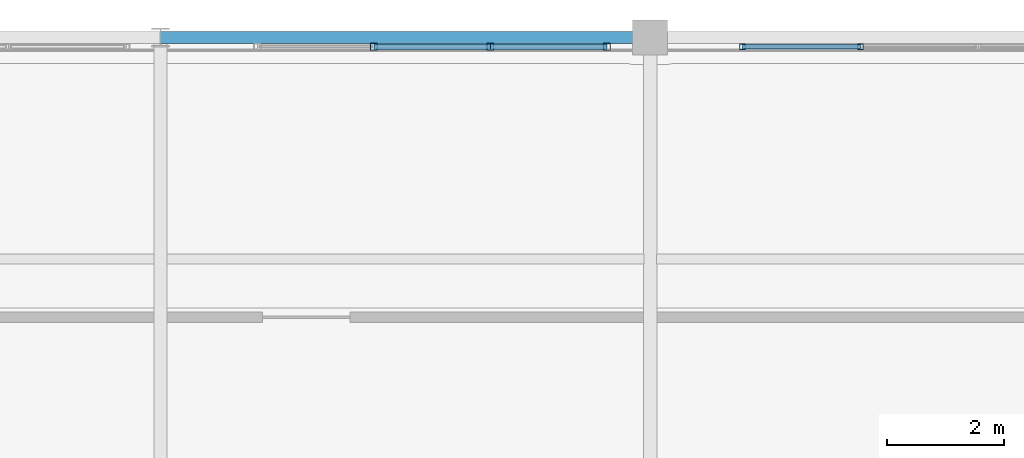
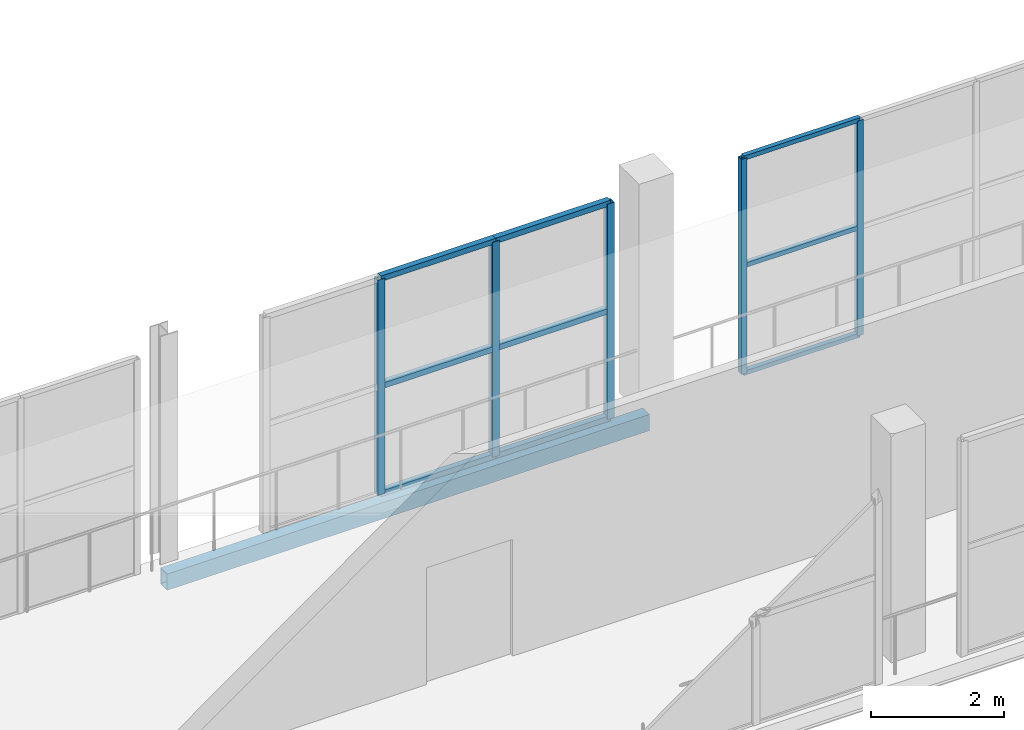
# One storey, part 67 of 151: 14 members, 1 beam, 2 elements without a shape of their own.
"""IFC4 building model written with IfcOpenShell, lengths in metres."""

import ifcopenshell
import ifcopenshell.guid

model = None  # the IFC model being written
_history = None  # IfcOwnerHistory: only IFC2X3 demands one
_inside = {}  # id of a spatial element -> (the spatial element, [elements in it])
_under = {}  # id of a project, library or spatial element -> (it, [spatial elements below it])
_declared = {}  # id of a project -> (the project, [libraries it declares])
_typed = {}  # id of a type object -> (the type object, [elements of that type])
_made_of = {}  # id of a material, layer set ... -> (it, [elements and type objects made of it])


def new_model(schema):
    """Start an empty IFC model of exactly this schema.

    Asked for "IFC4X3", IfcOpenShell would pick the latest addendum, in which some entities
    have other attributes; the version numbers below select the first issue.
    IFC2X3 requires an IfcOwnerHistory on every rooted entity: one is made here for all.
    """
    global model, _history
    if schema == "IFC4X3":
        model = ifcopenshell.file(schema_version=(4, 3, 0, 0))
    else:
        model = ifcopenshell.file(schema=schema)
    _inside.clear()
    _under.clear()
    _declared.clear()
    _typed.clear()
    _made_of.clear()
    _history = None
    if model.schema == "IFC2X3":
        org = make("IfcOrganization", Name="unknown")
        user = make(
            "IfcPersonAndOrganization",
            ThePerson=make("IfcPerson", FamilyName="unknown"),
            TheOrganization=org,
        )
        app = make(
            "IfcApplication",
            ApplicationDeveloper=org,
            Version="unknown",
            ApplicationFullName="unknown",
            ApplicationIdentifier="unknown",
        )
        _history = make(
            "IfcOwnerHistory",
            OwningUser=user,
            OwningApplication=app,
            ChangeAction="ADDED",
            CreationDate=0,
        )
    return model


def make(cls, **values):
    """One entity of the class cls with the attributes given. An attribute that is None is left unset."""
    return model.create_entity(
        cls, **{name: value for name, value in values.items() if value is not None}
    )


def rooted(cls, **values):
    """An entity with a GlobalId (a new one), such as an element, a storey or a relation."""
    return make(cls, GlobalId=ifcopenshell.guid.new(), OwnerHistory=_history, **values)


def si_unit(unit_type, name, prefix=None):
    """IfcSIUnit, for example si_unit("LENGTHUNIT", "METRE", prefix="MILLI")."""
    return make("IfcSIUnit", UnitType=unit_type, Prefix=prefix, Name=name)


def assignment(units):
    """IfcUnitAssignment: the units of a project."""
    return None if units is None else make("IfcUnitAssignment", Units=units)


def point(xyz):
    """IfcCartesianPoint."""
    return None if xyz is None else make("IfcCartesianPoint", Coordinates=xyz)


def direction(xyz):
    """IfcDirection."""
    return None if xyz is None else make("IfcDirection", DirectionRatios=xyz)


def frame(location, z_axis=None, x_axis=None):
    """IfcAxis2Placement3D, a coordinate frame: its origin and axes. An axis left out is left unset."""
    return make(
        "IfcAxis2Placement3D",
        Location=point(location),
        Axis=direction(z_axis),
        RefDirection=direction(x_axis),
    )


def frame_2d(location, x_axis=None):
    """IfcAxis2Placement2D, a coordinate frame in the plane: its origin and x axis."""
    return make(
        "IfcAxis2Placement2D", Location=point(location), RefDirection=direction(x_axis)
    )


def origin():
    """The frame at (0, 0, 0) with its axes left unset."""
    return frame((0.0, 0.0, 0.0))


def origin_2d():
    """The frame at (0, 0) in the plane with its x axis left unset."""
    return frame_2d((0.0, 0.0))


def place(relative_to, where):
    """IfcLocalPlacement: puts the frame where relative to a parent placement (None: the world)."""
    return make(
        "IfcLocalPlacement", PlacementRelTo=relative_to, RelativePlacement=where
    )


def context(
    kind, dimensions, precision=None, world=None, true_north=None, identifier=None
):
    """IfcGeometricRepresentationContext, for example the 3D "Model" context."""
    return make(
        "IfcGeometricRepresentationContext",
        ContextIdentifier=identifier,
        ContextType=kind,
        CoordinateSpaceDimension=dimensions,
        Precision=precision,
        WorldCoordinateSystem=world,
        TrueNorth=true_north,
    )


def subcontext(parent, identifier, kind, view, scale=None):
    """IfcGeometricRepresentationSubContext, for example "Body" below "Model"."""
    return make(
        "IfcGeometricRepresentationSubContext",
        ContextIdentifier=identifier,
        ContextType=kind,
        ParentContext=parent,
        TargetScale=scale,
        TargetView=view,
    )


def project(units=None, contexts=None):
    """IfcProject with its units and contexts."""
    return rooted(
        "IfcProject",
        Name="project",
        RepresentationContexts=contexts,
        UnitsInContext=assignment(units),
    )


def spatial(cls, under=None, at=None, **own):
    """A site, building, storey or space (cls), placed at a placement, below another one or the project."""
    s = rooted(cls, ObjectPlacement=at, **own)
    if under is not None:
        _under.setdefault(under.id(), (under, []))[1].append(s)
    return s


def profile(cls, at=None, kind="AREA", **sizes):
    """A parametric profile (cls). Its sizes go by their IFC names, for example OverallWidth=200.0."""
    return make(cls, ProfileType=kind, Position=at, **sizes)


def hollow_rectangle(**sizes):
    """IfcRectangleHollowProfileDef."""
    return profile("IfcRectangleHollowProfileDef", **sizes)


def extrude(swept, where, along, depth):
    """IfcExtrudedAreaSolid: the profile swept, set in the frame where, extruded along a direction by depth."""
    return make(
        "IfcExtrudedAreaSolid",
        SweptArea=swept,
        Position=where,
        ExtrudedDirection=direction(along),
        Depth=depth,
    )


def shape(context_of_items, identifier, shape_type, items):
    """IfcShapeRepresentation: the items that make up one representation, for example the "Body"."""
    return make(
        "IfcShapeRepresentation",
        ContextOfItems=context_of_items,
        RepresentationIdentifier=identifier,
        RepresentationType=shape_type,
        Items=items,
    )


def material(Name=None, Category=None):
    """IfcMaterial."""
    return make("IfcMaterial", Name=Name, Category=Category)


def material_profile(
    of_material, cross_section, Name=None, Category=None, Priority=None
):
    """IfcMaterialProfile: a cross section and its material."""
    return make(
        "IfcMaterialProfile",
        Name=Name,
        Material=of_material,
        Profile=cross_section,
        Priority=Priority,
        Category=Category,
    )


def profile_set(profiles, Name=None, composite=None):
    """IfcMaterialProfileSet."""
    return make(
        "IfcMaterialProfileSet",
        Name=Name,
        MaterialProfiles=profiles,
        CompositeProfile=composite,
    )


def made_of(thing, what):
    """Note that an element or type object is made of a material, layer set ...; save() writes the relation."""
    if what is not None:
        _made_of.setdefault(what.id(), (what, []))[1].append(thing)
    return thing


def type_object(cls, material=None, **own):
    """A type object (cls), such as IfcWallType, which elements share."""
    return made_of(rooted(cls, **own), material)


def element(
    cls,
    number,
    at=None,
    inside=None,
    cuts=None,
    type_object=None,
    material=None,
    context=None,
    identifier="Body",
    shape_type=None,
    held_by="IfcProductDefinitionShape",
    body=None,
    shapes=None,
    **own,
):
    """One element of the class cls, such as IfcWall. Its Tag is "e" and its number.

    at: its placement. inside: the storey or other place that contains it. cuts: it is an
    opening in that element (IfcRelVoidsElement). A single representation is given by context,
    identifier, shape_type and body (its items); several are given by shapes. held_by: the class
    of the entity that holds the representations. save() writes the other relations.
    """
    e = rooted(cls, Tag="e%d" % number, ObjectPlacement=at, **own)
    if body is not None:
        shapes = [shape(context, identifier, shape_type, body)]
    if shapes is not None:
        e.Representation = make(held_by, Representations=shapes)
    if inside is not None:
        _inside.setdefault(inside.id(), (inside, []))[1].append(e)
    if cuts is not None:
        rooted(
            "IfcRelVoidsElement", RelatingBuildingElement=cuts, RelatedOpeningElement=e
        )
    if type_object is not None:
        _typed.setdefault(type_object.id(), (type_object, []))[1].append(e)
    return made_of(e, material)


def aggregate(whole, parts):
    """IfcRelAggregates: a whole, such as a stair, and the parts it consists of."""
    return rooted("IfcRelAggregates", RelatingObject=whole, RelatedObjects=parts)


def save(model, path):
    """Write the relations noted so far, then the file.

    IfcRelAggregates (storeys below a building ...), IfcRelContainedInSpatialStructure (elements
    in a storey), IfcRelDefinesByType, IfcRelAssociatesMaterial and IfcRelDeclares: one each for
    every whole, place, type object, material and project.
    """
    for whole, parts in _under.values():
        aggregate(whole, parts)
    for where, things in _inside.values():
        rooted(
            "IfcRelContainedInSpatialStructure",
            RelatedElements=things,
            RelatingStructure=where,
        )
    for kind, things in _typed.values():
        rooted("IfcRelDefinesByType", RelatedObjects=things, RelatingType=kind)
    for what, things in _made_of.values():
        rooted("IfcRelAssociatesMaterial", RelatedObjects=things, RelatingMaterial=what)
    for by, libraries in _declared.values():
        rooted("IfcRelDeclares", RelatingContext=by, RelatedDefinitions=libraries)
    model.write(path)


model = new_model("IFC4")

# Units and contexts
model_context = context("Model", 3, precision=1e-05, world=origin(), true_north=direction((0.0, 1.0)))
body_context = subcontext(model_context, "Body", "Model", "MODEL_VIEW")
ifc_project = project(units=[si_unit("LENGTHUNIT", "METRE"), si_unit("AREAUNIT", "SQUARE_METRE"), si_unit("VOLUMEUNIT", "CUBIC_METRE"), si_unit("PLANEANGLEUNIT", "RADIAN"), si_unit("MASSUNIT", "GRAM", prefix="KILO")], contexts=[model_context])

# Site, building, storey
site_placement = place(None, origin())
site = spatial("IfcSite", under=ifc_project, at=site_placement, CompositionType="ELEMENT")
building_placement = place(site_placement, origin())
building = spatial("IfcBuilding", under=site, at=building_placement, Name="Zuvorla Pavilion Media Centre", CompositionType="ELEMENT")
storey_placement = place(building_placement, frame((0.0, 0.0, 13.800048828125)))
storey = spatial("IfcBuildingStorey", under=building, at=storey_placement, Name="L03", CompositionType="ELEMENT", Elevation=13.800048828125)

# Beam
ifc_material_1 = material(Name="Steel S355", Category="steel")
ifc_material_profile_1 = material_profile(ifc_material_1, hollow_rectangle(XDim=0.199951171875, YDim=0.300048828125, WallThickness=0.012451171875, at=origin_2d()), Name="RHS 300x200x12.5")
ifc_profile_set_1 = profile_set([ifc_material_profile_1], Name="Steel S355")
beam_type = type_object("IfcBeamType", Name="BM-SP-RHS300", PredefinedType="SPANDREL", material=ifc_profile_set_1)
beam_placement = place(storey_placement, frame((58.39990234375, 89.60009765625, -0.407958984375), z_axis=(1.0, 0.0, 0.0), x_axis=(0.0, 1.0, 0.0)))
element("IfcBeam", 1, at=beam_placement, inside=storey, type_object=beam_type, Name="L03 spandrel SP01 1136", PredefinedType="SPANDREL", context=body_context, shape_type="SweptSolid", body=[
    extrude(hollow_rectangle(XDim=0.199951171875, YDim=0.300048828125, WallThickness=0.012451171875, at=origin_2d()), origin(), (0.0, 0.0, 1.0), 8.400146484375),
])

# Curtain wall, members
ifc_material_2 = material(Name="Unitised anodised aluminium and solar glass curtain wall", Category="aluminium")
curtain_wall_type_1 = type_object("IfcCurtainWallType", Name="CW-SYS-64", PredefinedType="USERDEFINED", material=ifc_material_2)
curtain_wall_1_placement = place(storey_placement, origin())
curtain_wall_1 = element("IfcCurtainWall", 2, at=curtain_wall_1_placement, inside=storey, type_object=curtain_wall_type_1, Name="L03 curtain wall CW64 115", ObjectType="CURTAIN WALL", PredefinedType="USERDEFINED")
ifc_material_3 = material(Name="Anodised aluminium 6063-T6", Category="aluminium")
ifc_material_profile_2 = material_profile(ifc_material_3, hollow_rectangle(XDim=0.10009765625, YDim=0.10009765625, WallThickness=0.00439453125, at=origin_2d()), Name="ALU MULL 100x100")
ifc_profile_set_2 = profile_set([ifc_material_profile_2], Name="Anodised aluminium 6063-T6")
member_type_1 = type_object("IfcMemberType", Name="CW-MULL-100", PredefinedType="MULLION", material=ifc_profile_set_2)
member_1_placement = place(storey_placement, frame((70.408447265625, 89.43994140625, 0.0), z_axis=(0.0, 0.0, 1.0), x_axis=(1.0, 0.0, 0.0)))
member_1 = element("IfcMember", 3, at=member_1_placement, type_object=member_type_1, Name="CW64 mullion 3", PredefinedType="MULLION", context=body_context, shape_type="SweptSolid", body=[
    extrude(hollow_rectangle(XDim=0.10009765625, YDim=0.10009765625, WallThickness=0.00439453125, at=origin_2d()), origin(), (0.0, 0.0, 1.0), 3.9599609375),
])
member_2_placement = place(storey_placement, frame((68.385009765625, 89.43994140625, 0.0), z_axis=(0.0, 0.0, 1.0), x_axis=(1.0, 0.0, 0.0)))
member_2 = element("IfcMember", 4, at=member_2_placement, type_object=member_type_1, Name="CW64 mullion 4", PredefinedType="MULLION", context=body_context, shape_type="SweptSolid", body=[
    extrude(hollow_rectangle(XDim=0.10009765625, YDim=0.10009765625, WallThickness=0.00439453125, at=origin_2d()), origin(), (0.0, 0.0, 1.0), 3.9599609375),
])

curtain_wall_type_2 = type_object("IfcCurtainWallType", Name="CW-SYS-08", PredefinedType="USERDEFINED", material=ifc_material_2)
curtain_wall_2_placement = place(storey_placement, origin())
curtain_wall_2 = element("IfcCurtainWall", 5, at=curtain_wall_2_placement, inside=storey, type_object=curtain_wall_type_2, Name="L03 curtain wall CW08 116", ObjectType="CURTAIN WALL", PredefinedType="USERDEFINED")
ifc_material_profile_3 = material_profile(ifc_material_3, hollow_rectangle(XDim=0.1201171875, YDim=0.1201171875, WallThickness=0.0048828125, at=origin_2d()), Name="ALU MULL 120x120")
ifc_profile_set_3 = profile_set([ifc_material_profile_3], Name="Anodised aluminium 6063-T6")
member_type_2 = type_object("IfcMemberType", Name="CW-MULL-120", PredefinedType="MULLION", material=ifc_profile_set_3)
member_3_placement = place(storey_placement, frame((66.0556640625, 89.43994140625, 0.0), z_axis=(0.0, 0.0, 1.0), x_axis=(1.0, 0.0, 0.0)))
member_3 = element("IfcMember", 6, at=member_3_placement, type_object=member_type_2, Name="CW08 mullion 1", PredefinedType="MULLION", context=body_context, shape_type="SweptSolid", body=[
    extrude(hollow_rectangle(XDim=0.1201171875, YDim=0.1201171875, WallThickness=0.0048828125, at=origin_2d()), origin(), (0.0, 0.0, 1.0), 3.9599609375),
])
member_4_placement = place(storey_placement, frame((64.05712890625, 89.43994140625, 0.0), z_axis=(0.0, 0.0, 1.0), x_axis=(1.0, 0.0, 0.0)))
member_4 = element("IfcMember", 7, at=member_4_placement, type_object=member_type_2, Name="CW08 mullion 2", PredefinedType="MULLION", context=body_context, shape_type="SweptSolid", body=[
    extrude(hollow_rectangle(XDim=0.1201171875, YDim=0.1201171875, WallThickness=0.0048828125, at=origin_2d()), origin(), (0.0, 0.0, 1.0), 3.9599609375),
])
member_5_placement = place(storey_placement, frame((62.05859375, 89.43994140625, 0.0), z_axis=(0.0, 0.0, 1.0), x_axis=(1.0, 0.0, 0.0)))
member_5 = element("IfcMember", 8, at=member_5_placement, type_object=member_type_2, Name="CW08 mullion 3", PredefinedType="MULLION", context=body_context, shape_type="SweptSolid", body=[
    extrude(hollow_rectangle(XDim=0.1201171875, YDim=0.1201171875, WallThickness=0.0048828125, at=origin_2d()), origin(), (0.0, 0.0, 1.0), 3.9599609375),
])
ifc_material_profile_4 = material_profile(ifc_material_3, hollow_rectangle(XDim=0.10009765625, YDim=0.10009765625, WallThickness=0.00439453125, at=origin_2d()), Name="ALU TRAN 100x100")
ifc_profile_set_4 = profile_set([ifc_material_profile_4], Name="Anodised aluminium 6063-T6")
member_type_3 = type_object("IfcMemberType", Name="CW-TRAN-100", PredefinedType="USERDEFINED", material=ifc_profile_set_4)
member_6_placement = place(storey_placement, frame((66.0556640625, 89.43994140625, 0.0), z_axis=(-1.0, 0.0, 0.0), x_axis=(0.0, -1.0, 0.0)))
member_6 = element("IfcMember", 9, at=member_6_placement, type_object=member_type_3, Name="CW08 transom 1.1", ObjectType="TRANSOM", PredefinedType="USERDEFINED", context=body_context, shape_type="SweptSolid", body=[
    extrude(hollow_rectangle(XDim=0.10009765625, YDim=0.10009765625, WallThickness=0.00439453125, at=origin_2d()), origin(), (0.0, 0.0, 1.0), 1.99853515625),
])
member_7_placement = place(storey_placement, frame((66.0556640625, 89.43994140625, 1.97998046875), z_axis=(-1.0, 0.0, 0.0), x_axis=(0.0, -1.0, 0.0)))
member_7 = element("IfcMember", 10, at=member_7_placement, type_object=member_type_3, Name="CW08 transom 1.2", ObjectType="TRANSOM", PredefinedType="USERDEFINED", context=body_context, shape_type="SweptSolid", body=[
    extrude(hollow_rectangle(XDim=0.10009765625, YDim=0.10009765625, WallThickness=0.00439453125, at=origin_2d()), origin(), (0.0, 0.0, 1.0), 1.99853515625),
])
member_8_placement = place(storey_placement, frame((66.0556640625, 89.43994140625, 3.9599609375), z_axis=(-1.0, 0.0, 0.0), x_axis=(0.0, -1.0, 0.0)))
member_8 = element("IfcMember", 11, at=member_8_placement, type_object=member_type_3, Name="CW08 transom 1.3", ObjectType="TRANSOM", PredefinedType="USERDEFINED", context=body_context, shape_type="SweptSolid", body=[
    extrude(hollow_rectangle(XDim=0.10009765625, YDim=0.10009765625, WallThickness=0.00439453125, at=origin_2d()), origin(), (0.0, 0.0, 1.0), 1.99853515625),
])
member_9_placement = place(storey_placement, frame((64.05712890625, 89.43994140625, 0.0), z_axis=(-1.0, 0.0, 0.0), x_axis=(0.0, -1.0, 0.0)))
member_9 = element("IfcMember", 12, at=member_9_placement, type_object=member_type_3, Name="CW08 transom 2.1", ObjectType="TRANSOM", PredefinedType="USERDEFINED", context=body_context, shape_type="SweptSolid", body=[
    extrude(hollow_rectangle(XDim=0.10009765625, YDim=0.10009765625, WallThickness=0.00439453125, at=origin_2d()), origin(), (0.0, 0.0, 1.0), 1.99853515625),
])
member_10_placement = place(storey_placement, frame((64.05712890625, 89.43994140625, 1.97998046875), z_axis=(-1.0, 0.0, 0.0), x_axis=(0.0, -1.0, 0.0)))
member_10 = element("IfcMember", 13, at=member_10_placement, type_object=member_type_3, Name="CW08 transom 2.2", ObjectType="TRANSOM", PredefinedType="USERDEFINED", context=body_context, shape_type="SweptSolid", body=[
    extrude(hollow_rectangle(XDim=0.10009765625, YDim=0.10009765625, WallThickness=0.00439453125, at=origin_2d()), origin(), (0.0, 0.0, 1.0), 1.99853515625),
])
member_11_placement = place(storey_placement, frame((64.05712890625, 89.43994140625, 3.9599609375), z_axis=(-1.0, 0.0, 0.0), x_axis=(0.0, -1.0, 0.0)))
member_11 = element("IfcMember", 14, at=member_11_placement, type_object=member_type_3, Name="CW08 transom 2.3", ObjectType="TRANSOM", PredefinedType="USERDEFINED", context=body_context, shape_type="SweptSolid", body=[
    extrude(hollow_rectangle(XDim=0.10009765625, YDim=0.10009765625, WallThickness=0.00439453125, at=origin_2d()), origin(), (0.0, 0.0, 1.0), 1.99853515625),
])
aggregate(curtain_wall_2, [member_3, member_4, member_5, member_6, member_7, member_8, member_9, member_10, member_11])

# Member
ifc_material_profile_5 = material_profile(ifc_material_3, hollow_rectangle(XDim=0.080078125, YDim=0.080078125, WallThickness=0.00390625, at=origin_2d()), Name="ALU TRAN 80x80")
ifc_profile_set_5 = profile_set([ifc_material_profile_5], Name="Anodised aluminium 6063-T6")
member_type_4 = type_object("IfcMemberType", Name="CW-TRAN-80", PredefinedType="USERDEFINED", material=ifc_profile_set_5)
member_12_placement = place(storey_placement, frame((70.408447265625, 89.43994140625, 0.0), z_axis=(-1.0, 0.0, 0.0), x_axis=(0.0, -1.0, 0.0)))
member_12 = element("IfcMember", 15, at=member_12_placement, type_object=member_type_4, Name="CW64 transom 3.1", ObjectType="TRANSOM", PredefinedType="USERDEFINED", context=body_context, shape_type="SweptSolid", body=[
    extrude(hollow_rectangle(XDim=0.080078125, YDim=0.080078125, WallThickness=0.00390625, at=origin_2d()), origin(), (0.0, 0.0, 1.0), 2.0234375),
])

member_13_placement = place(storey_placement, frame((70.408447265625, 89.43994140625, 1.97998046875), z_axis=(-1.0, 0.0, 0.0), x_axis=(0.0, -1.0, 0.0)))
member_13 = element("IfcMember", 16, at=member_13_placement, type_object=member_type_4, Name="CW64 transom 3.2", ObjectType="TRANSOM", PredefinedType="USERDEFINED", context=body_context, shape_type="SweptSolid", body=[
    extrude(hollow_rectangle(XDim=0.080078125, YDim=0.080078125, WallThickness=0.00390625, at=origin_2d()), origin(), (0.0, 0.0, 1.0), 2.0234375),
])

member_14_placement = place(storey_placement, frame((70.408447265625, 89.43994140625, 3.9599609375), z_axis=(-1.0, 0.0, 0.0), x_axis=(0.0, -1.0, 0.0)))
member_14 = element("IfcMember", 17, at=member_14_placement, type_object=member_type_4, Name="CW64 transom 3.3", ObjectType="TRANSOM", PredefinedType="USERDEFINED", context=body_context, shape_type="SweptSolid", body=[
    extrude(hollow_rectangle(XDim=0.080078125, YDim=0.080078125, WallThickness=0.00390625, at=origin_2d()), origin(), (0.0, 0.0, 1.0), 2.0234375),
])

aggregate(curtain_wall_1, [member_1, member_2, member_12, member_13, member_14])

save(model, "model.ifc")
